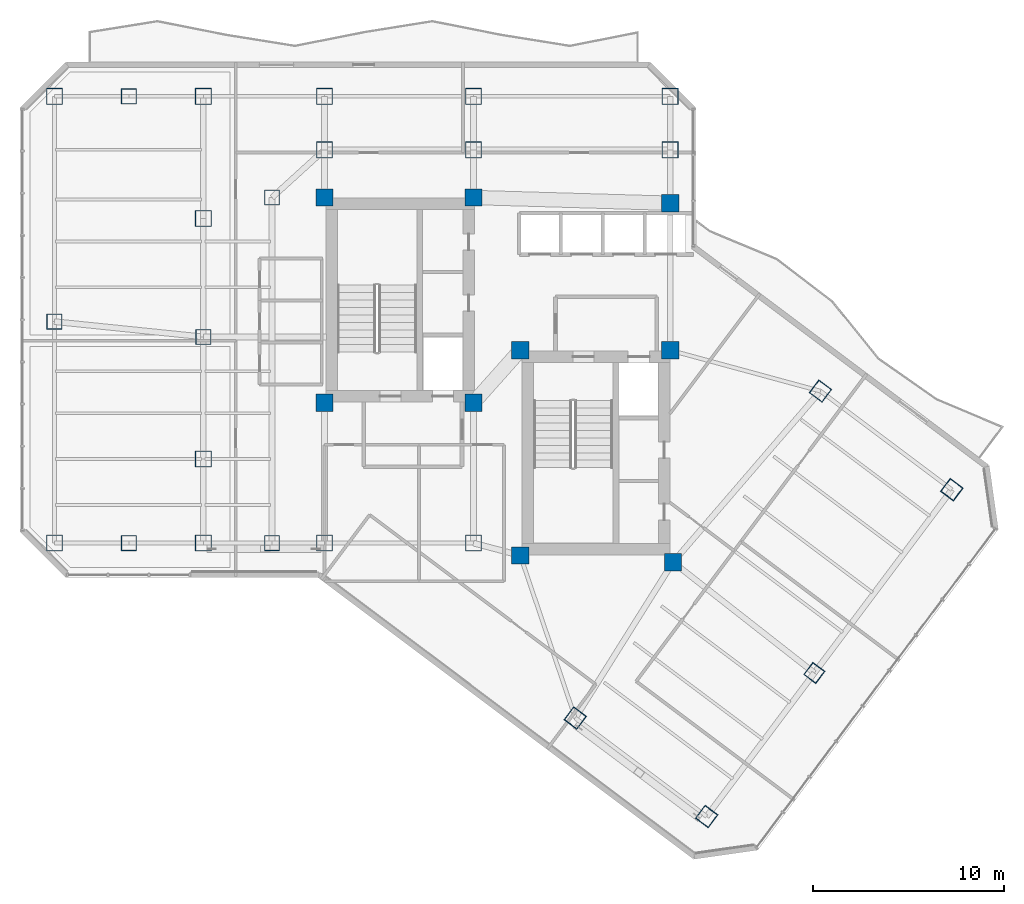
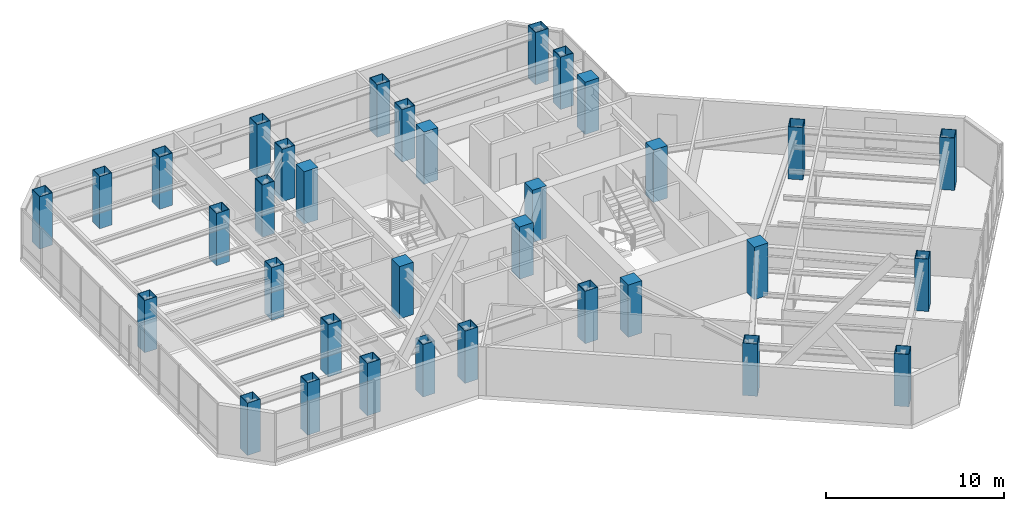
# One storey, part 1 of 27: 34 columns.
"""IFC4 building model written with IfcOpenShell, lengths in metres."""

from ifc_helpers import new_model, si_unit, direction, frame, origin, origin_2d, place, context, subcontext, project, spatial, rectangle, hollow_rectangle, extrude, material, material_profile, profile_set, type_object, element, save


model = new_model("IFC4")

# Units and contexts
model_context = context("Model", 3, precision=1e-05, world=origin(), true_north=direction((0.0, 1.0)))
body_context = subcontext(model_context, "Body", "Model", "MODEL_VIEW")
ifc_project = project(units=[si_unit("LENGTHUNIT", "METRE"), si_unit("AREAUNIT", "SQUARE_METRE"), si_unit("VOLUMEUNIT", "CUBIC_METRE"), si_unit("PLANEANGLEUNIT", "RADIAN"), si_unit("MASSUNIT", "GRAM", prefix="KILO")], contexts=[model_context])

# Site, building, storey
site_placement = place(None, origin())
site = spatial("IfcSite", under=ifc_project, at=site_placement, CompositionType="ELEMENT")
building_placement = place(site_placement, origin())
building = spatial("IfcBuilding", under=site, at=building_placement, Name="Hatsunagi Terrace Concourse", CompositionType="ELEMENT")
storey_placement = place(building_placement, frame((0.0, 0.0, 156.449951171875)))
storey = spatial("IfcBuildingStorey", under=building, at=storey_placement, Name="L41", CompositionType="ELEMENT", Elevation=156.449951171875)

# Columns
ifc_material_1 = material(Name="Concrete Fc48", Category="concrete")
ifc_material_profile_1 = material_profile(ifc_material_1, rectangle(XDim=0.89990234375, YDim=0.89990234375, at=origin_2d()), Name="RC-900x900")
ifc_profile_set_1 = profile_set([ifc_material_profile_1], Name="Concrete Fc48")
column_type_1 = type_object("IfcColumnType", Name="CoreColumn_RC_900x900", PredefinedType="COLUMN", material=ifc_profile_set_1)
for number, where, z_axis, x_axis, name in (
    (1, (25.550048828125, 32.550048828125, 0.0), (0.0, 0.0, 1.0), (1.0, 0.0, 0.0), "Column C-02 L41-CASW"),
    (2, (33.35009765625, 32.550048828125, 0.0), (0.0, 0.0, 1.0), (1.0, 0.0, 0.0), "Column C-02 L41-CASE"),
    (3, (25.550048828125, 43.300048828125, 0.0), (0.0, 0.0, 1.0), (1.0, 0.0, 0.0), "Column C-02 L41-CANW"),
    (4, (33.35009765625, 43.300048828125, 0.0), (0.0, 0.0, 1.0), (1.0, 0.0, 0.0), "Column C-02 L41-CANE"),
    (5, (35.800048828125, 24.550048828125, 0.0), (0.0, 0.0, 1.0), (1.0, 0.0, 0.0), "Column C-02 L41-CBSW"),
    (6, (43.800048828125, 24.199951171875, 0.0), (0.0, 0.0, 1.0), (1.0, 0.0, 0.0), "Column C-02 L41-CBSE"),
    (7, (35.800048828125, 35.300048828125, 0.0), (0.0, 0.0, 1.0), (1.0, 0.0, 0.0), "Column C-02 L41-CBNW"),
    (8, (43.64990234375, 35.300048828125, 0.0), (0.0, 0.0, 1.0), (1.0, 0.0, 0.0), "Column C-02 L41-CBNE"),
    (9, (43.64990234375, 43.0, 0.0), (0.0, 0.0, 1.0), (1.0, 0.0, 0.0), "Column C-02 L41-K3"),
):
    element("IfcColumn", number, at=place(storey_placement, frame(where, z_axis=z_axis, x_axis=x_axis)), inside=storey, type_object=column_type_1, Name=name, PredefinedType="COLUMN", context=body_context, shape_type="SweptSolid", body=[
        extrude(rectangle(XDim=0.89990234375, YDim=0.89990234375, at=origin_2d()), origin(), (0.0, 0.0, 1.0), 3.60009765625),
    ])
ifc_material_2 = material(Name="Steel BCP325T", Category="steel")
ifc_material_profile_2 = material_profile(ifc_material_2, hollow_rectangle(XDim=0.800048828125, YDim=0.800048828125, WallThickness=0.031982421875, at=origin_2d()), Name="BCP-800x800x32")
ifc_profile_set_2 = profile_set([ifc_material_profile_2], Name="Steel BCP325T")
column_type_2 = type_object("IfcColumnType", Name="TowerBoxColumn_800x800x32", PredefinedType="COLUMN", material=ifc_profile_set_2)
for number, where, z_axis, x_axis, name in (
    (10, (22.800048828125, 25.199951171875, 0.0), (0.0, 0.0, 1.0), (1.0, 0.0, 0.0), "Column C-06 L41-CW1"),
    (11, (22.800048828125, 43.300048828125, 0.0), (0.0, 0.0, 1.0), (1.0, 0.0, 0.0), "Column C-06 L41-CW2"),
    (12, (11.39990234375, 36.800048828125, 0.0), (0.0, 0.0, 1.0), (1.0, 0.0, 0.0), "Column C-06 L41-WT1"),
    (13, (19.199951171875, 36.0, 0.0), (0.0, 0.0, 1.0), (1.0, 0.0, 0.0), "Column C-06 L41-WT2"),
    (14, (15.300048828125, 25.199951171875, 0.0), (0.0, 0.0, 1.0), (1.0, 0.0, 0.0), "Column C-06 L41-WT3"),
    (15, (15.300048828125, 48.60009765625, 0.0), (0.0, 0.0, 1.0), (1.0, 0.0, 0.0), "Column C-06 L41-WT4"),
    (16, (51.199951171875, 18.39990234375, 0.0), (0.0, 0.0, 1.0), (0.799999996291, -0.600000004945, 0.0), "Column C-06 L41-SEM2"),
):
    element("IfcColumn", number, at=place(storey_placement, frame(where, z_axis=z_axis, x_axis=x_axis)), inside=storey, type_object=column_type_2, Name=name, PredefinedType="COLUMN", context=body_context, shape_type="SweptSolid", body=[
        extrude(hollow_rectangle(XDim=0.800048828125, YDim=0.800048828125, WallThickness=0.031982421875, at=origin_2d()), origin(), (0.0, 0.0, 1.0), 3.60009765625),
    ])
ifc_material_3 = material(Name="Steel BCP325T", Category="steel")
ifc_material_profile_3 = material_profile(ifc_material_3, hollow_rectangle(XDim=0.85009765625, YDim=0.85009765625, WallThickness=0.031982421875, at=origin_2d()), Name="BCP-850x850x32")
ifc_profile_set_3 = profile_set([ifc_material_profile_3], Name="Steel BCP325T")
column_type_3 = type_object("IfcColumnType", Name="TowerBoxColumn_850x850x32", PredefinedType="COLUMN", material=ifc_profile_set_3)
for number, where, z_axis, x_axis, name in (
    (17, (25.550048828125, 25.199951171875, 0.0), (0.0, 0.0, 1.0), (1.0, 0.0, 0.0), "Column C-05 L41-K1"),
    (18, (33.35009765625, 25.199951171875, 0.0), (0.0, 0.0, 1.0), (1.0, 0.0, 0.0), "Column C-05 L41-K2"),
    (19, (25.550048828125, 45.800048828125, 0.0), (0.0, 0.0, 1.0), (1.0, 0.0, 0.0), "Column C-05 L41-CN1"),
    (20, (33.35009765625, 45.800048828125, 0.0), (0.0, 0.0, 1.0), (1.0, 0.0, 0.0), "Column C-05 L41-CN2"),
    (21, (43.64990234375, 45.800048828125, 0.0), (0.0, 0.0, 1.0), (1.0, 0.0, 0.0), "Column C-05 L41-CN3"),
    (22, (11.39990234375, 25.199951171875, 0.0), (0.0, 0.0, 1.0), (1.0, 0.0, 0.0), "Column C-05 L41-WS2"),
    (23, (11.39990234375, 48.60009765625, 0.0), (0.0, 0.0, 1.0), (1.0, 0.0, 0.0), "Column C-05 L41-WN2"),
    (24, (19.199951171875, 48.60009765625, 0.0), (0.0, 0.0, 1.0), (1.0, 0.0, 0.0), "Column C-05 L41-WN3"),
    (25, (25.550048828125, 48.60009765625, 0.0), (0.0, 0.0, 1.0), (1.0, 0.0, 0.0), "Column C-05 L41-WN4"),
    (26, (33.35009765625, 48.60009765625, 0.0), (0.0, 0.0, 1.0), (1.0, 0.0, 0.0), "Column C-05 L41-WN5"),
    (27, (43.64990234375, 48.60009765625, 0.0), (0.0, 0.0, 1.0), (1.0, 0.0, 0.0), "Column C-05 L41-WN6"),
    (28, (19.199951171875, 25.199951171875, 0.0), (0.0, 0.0, 1.0), (1.0, 0.0, 0.0), "Column C-05 L41-WS3"),
    (29, (19.199951171875, 29.60009765625, 0.0), (0.0, 0.0, 1.0), (1.0, 0.0, 0.0), "Column C-05 L41-WR1"),
    (30, (19.199951171875, 42.199951171875, 0.0), (0.0, 0.0, 1.0), (1.0, 0.0, 0.0), "Column C-05 L41-WR2"),
    (31, (38.679931640625, 16.0400390625, 0.0), (0.0, 0.0, 1.0), (0.799999996291, -0.600000004945, 0.0), "Column C-05 L41-SES1"),
    (32, (51.52001953125, 33.159912109375, 0.0), (0.0, 0.0, 1.0), (0.799999996291, -0.600000004945, 0.0), "Column C-05 L41-SEN1"),
    (33, (45.56005859375, 10.8798828125, 0.0), (0.0, 0.0, 1.0), (0.799999996291, -0.600000004945, 0.0), "Column C-05 L41-SES2"),
    (34, (58.39990234375, 28.0, 0.0), (0.0, 0.0, 1.0), (0.799999996291, -0.600000004945, 0.0), "Column C-05 L41-SEN2"),
):
    element("IfcColumn", number, at=place(storey_placement, frame(where, z_axis=z_axis, x_axis=x_axis)), inside=storey, type_object=column_type_3, Name=name, PredefinedType="COLUMN", context=body_context, shape_type="SweptSolid", body=[
        extrude(hollow_rectangle(XDim=0.85009765625, YDim=0.85009765625, WallThickness=0.031982421875, at=origin_2d()), origin(), (0.0, 0.0, 1.0), 3.60009765625),
    ])

save(model, "model.ifc")
